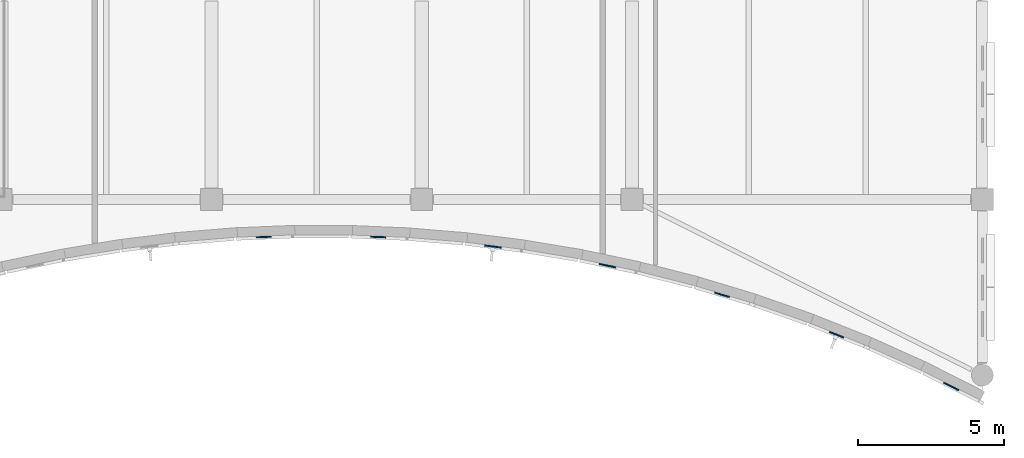
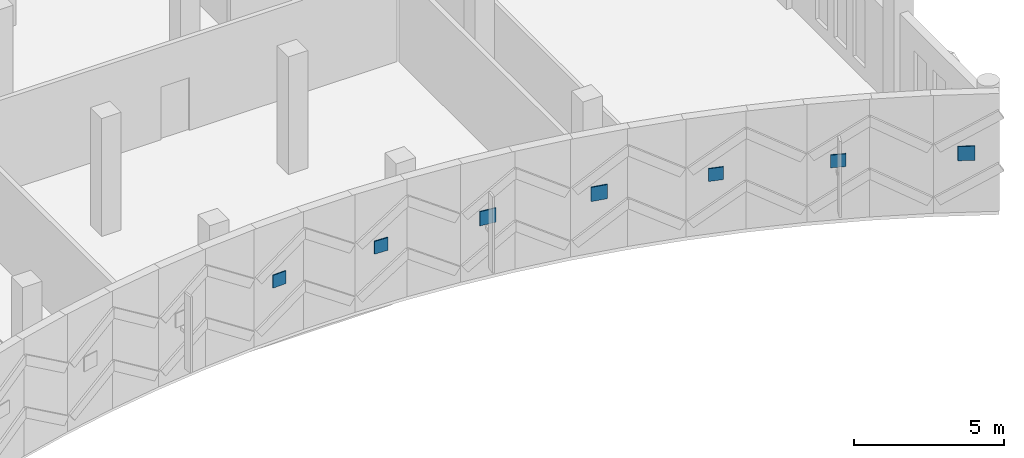
# One storey, part 131 of 193: 7 plates.
"""IFC4 building model written with IfcOpenShell, lengths in metres."""

from ifc_helpers import new_model, si_unit, direction, frame, origin, origin_2d, place, context, subcontext, project, spatial, rectangle, extrude, material, layer, layer_set, type_object, element, save


model = new_model("IFC4")

# Units and contexts
model_context = context("Model", 3, precision=1e-05, world=origin(), true_north=direction((0.0, 1.0)))
body_context = subcontext(model_context, "Body", "Model", "MODEL_VIEW")
ifc_project = project(units=[si_unit("LENGTHUNIT", "METRE"), si_unit("AREAUNIT", "SQUARE_METRE"), si_unit("VOLUMEUNIT", "CUBIC_METRE"), si_unit("PLANEANGLEUNIT", "RADIAN"), si_unit("MASSUNIT", "GRAM", prefix="KILO")], contexts=[model_context])

# Site, building, storey
site_placement = place(None, origin())
site = spatial("IfcSite", under=ifc_project, at=site_placement, CompositionType="ELEMENT")
building_placement = place(site_placement, origin())
building = spatial("IfcBuilding", under=site, at=building_placement, Name="Cendralis Lancet Convention Centre", CompositionType="ELEMENT")
storey_placement = place(building_placement, frame((0.0, 0.0, 10.199951171875)))
storey = spatial("IfcBuildingStorey", under=building, at=storey_placement, Name="L02", CompositionType="ELEMENT", Elevation=10.199951171875)

# Plates
ifc_material_1 = material(Name="Warm buff sandstone chevron cassette", Category="masonry")
ifc_layer_1 = layer(ifc_material_1, 0.044921875, Name="Warm buff sandstone chevron cassette")
ifc_layer_set_1 = layer_set([ifc_layer_1], Name="Warm buff sandstone chevron cassette")
plate_type_1 = type_object("IfcPlateType", Name="ARC-PL-CHV1", PredefinedType="SHEET", material=ifc_layer_set_1)
for number, where, z_axis, x_axis, name in (
    (1, (192.038818359375, 5.5888671875, 2.130126953125), (0.0, 0.0, 1.0), (0.992347031249, -0.123480239601, 0.0), "Chevron Keystone Cassette CHV-S1 #0146"),
    (2, (207.73193359375, 0.797607421875, 2.130126953125), (0.0, 0.0, 1.0), (0.892152595906, -0.4517341537, 0.0), "Chevron Keystone Cassette CHV-S1 #0158"),
):
    element("IfcPlate", number, at=place(storey_placement, frame(where, z_axis=z_axis, x_axis=x_axis)), inside=storey, type_object=plate_type_1, Name=name, PredefinedType="SHEET", context=body_context, shape_type="SweptSolid", body=[
        extrude(rectangle(XDim=0.580078125, YDim=0.044921875, at=origin_2d()), origin(), (0.0, 0.0, 1.0), 0.580078125),
    ])
ifc_material_2 = material(Name="Dark Andean slate chevron cassette", Category="masonry")
ifc_layer_2 = layer(ifc_material_2, 0.048095703125, Name="Dark Andean slate chevron cassette")
ifc_layer_set_2 = layer_set([ifc_layer_2], Name="Dark Andean slate chevron cassette")
plate_type_2 = type_object("IfcPlateType", Name="ARC-PL-CHV2", PredefinedType="SHEET", material=ifc_layer_set_2)
plate_placement = place(storey_placement, frame((195.9619140625, 4.93408203125, 2.130126953125), z_axis=(0.0, 0.0, 1.0), x_axis=(0.978623998626, -0.205657650751, 0.0)))
element("IfcPlate", 3, at=plate_placement, inside=storey, type_object=plate_type_2, Name="Chevron Keystone Cassette CHV-D1 #0149", PredefinedType="SHEET", context=body_context, shape_type="SweptSolid", body=[
    extrude(rectangle(XDim=0.580078125, YDim=0.048095703125, at=origin_2d()), origin(), (0.0, 0.0, 1.0), 0.580078125),
])
ifc_layer_3 = layer(ifc_material_1, 0.044921875, Name="Warm buff sandstone chevron cassette")
ifc_layer_set_3 = layer_set([ifc_layer_3], Name="Warm buff sandstone chevron cassette")
plate_type_3 = type_object("IfcPlateType", Name="ARC-PL-CHV3", PredefinedType="SHEET", material=ifc_layer_set_3)
for number, where, z_axis, x_axis, name in (
    (4, (184.19189453125, 5.915283203125, 2.16015625), (0.0, 0.0, 1.0), (0.99917537251, 0.040602647325, 0.0), "Chevron Keystone Cassette CHV-S2 #0140"),
    (5, (199.88525390625, 3.934814453125, 2.16015625), (0.0, 0.0, 1.0), (0.957651803047, -0.287928852531, 0.0), "Chevron Keystone Cassette CHV-S2 #0152"),
):
    element("IfcPlate", number, at=place(storey_placement, frame(where, z_axis=z_axis, x_axis=x_axis)), inside=storey, type_object=plate_type_3, Name=name, PredefinedType="SHEET", context=body_context, shape_type="SweptSolid", body=[
        extrude(rectangle(XDim=0.52001953125, YDim=0.044921875, at=origin_2d()), origin(), (0.0, 0.0, 1.0), 0.52001953125),
    ])
ifc_layer_4 = layer(ifc_material_2, 0.048095703125, Name="Dark Andean slate chevron cassette")
ifc_layer_set_4 = layer_set([ifc_layer_4], Name="Dark Andean slate chevron cassette")
plate_type_4 = type_object("IfcPlateType", Name="ARC-PL-CHV4", PredefinedType="SHEET", material=ifc_layer_set_4)
for number, where, z_axis, x_axis, name in (
    (6, (188.115234375, 5.914306640625, 2.16015625), (0.0, 0.0, 1.0), (0.99913448503, -0.041596644372, 0.0), "Chevron Keystone Cassette CHV-D2 #0143"),
    (7, (203.80859375, 2.567626953125, 2.16015625), (0.0, 0.0, 1.0), (0.929287369176, -0.369357530706, 0.0), "Chevron Keystone Cassette CHV-D2 #0155"),
):
    element("IfcPlate", number, at=place(storey_placement, frame(where, z_axis=z_axis, x_axis=x_axis)), inside=storey, type_object=plate_type_4, Name=name, PredefinedType="SHEET", context=body_context, shape_type="SweptSolid", body=[
        extrude(rectangle(XDim=0.52001953125, YDim=0.048095703125, at=origin_2d()), origin(), (0.0, 0.0, 1.0), 0.52001953125),
    ])

save(model, "model.ifc")
